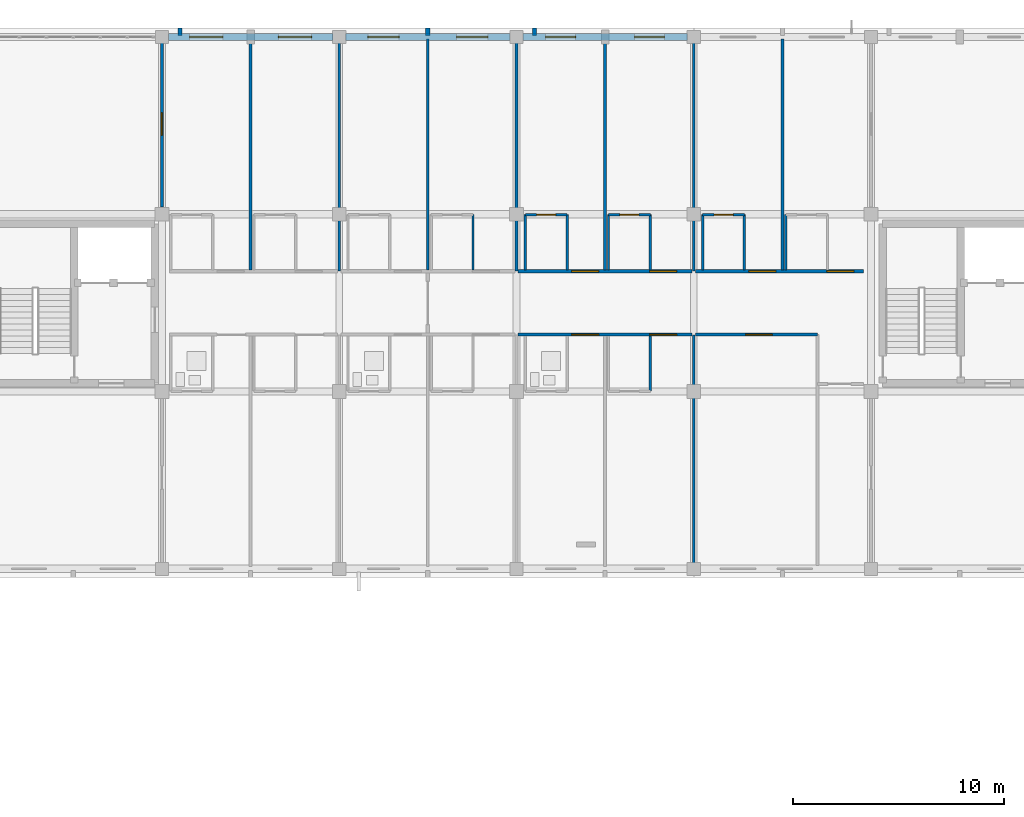
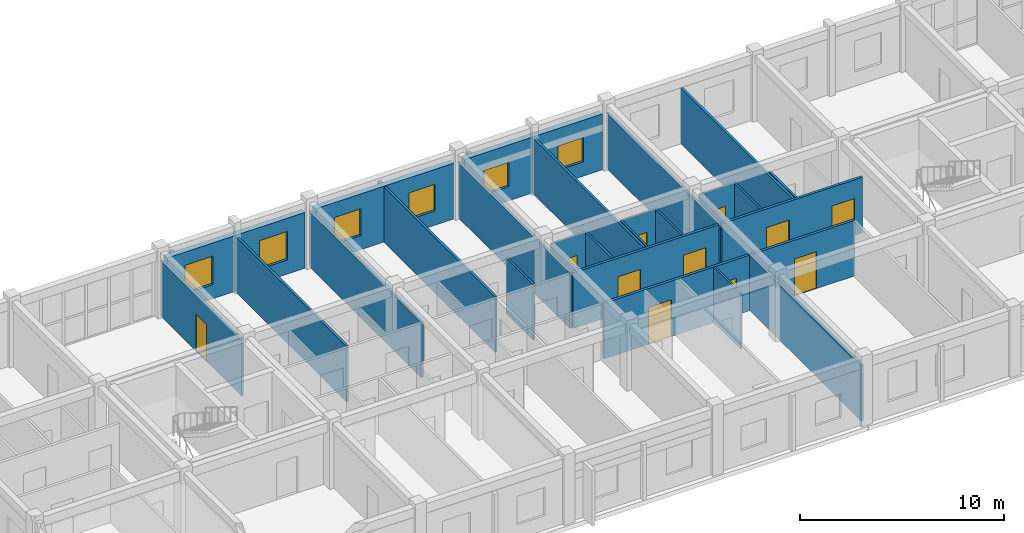
# One storey, part 68 of 81: 31 walls, 11 doors, 6 windows, 17 openings.
"""IFC4 building model written with IfcOpenShell, lengths in metres."""

from ifc_helpers import new_model, si_unit, direction, frame, frame_2d, origin, place, context, subcontext, project, spatial, rectangle, extrude, material, layer, layer_set, type_object, element, fill, save


model = new_model("IFC4")

# Units and contexts
model_context = context("Model", 3, precision=1e-05, world=origin(), true_north=direction((0.0, 1.0)))
body_context = subcontext(model_context, "Body", "Model", "MODEL_VIEW")
ifc_project = project(units=[si_unit("LENGTHUNIT", "METRE"), si_unit("AREAUNIT", "SQUARE_METRE"), si_unit("VOLUMEUNIT", "CUBIC_METRE"), si_unit("PLANEANGLEUNIT", "RADIAN"), si_unit("MASSUNIT", "GRAM", prefix="KILO")], contexts=[model_context])

# Site, building, storey
site_placement = place(None, origin())
site = spatial("IfcSite", under=ifc_project, at=site_placement, CompositionType="ELEMENT")
building_placement = place(site_placement, origin())
building = spatial("IfcBuilding", under=site, at=building_placement, Name="Trelvath General Hospital", CompositionType="ELEMENT")
storey_placement = place(building_placement, frame((0.0, 0.0, 24.60009765625)))
storey = spatial("IfcBuildingStorey", under=building, at=storey_placement, Name="L06", CompositionType="ELEMENT", Elevation=24.60009765625)

# Walls
ifc_material_1 = material(Name="Precast concrete C40/50", Category="concrete")
ifc_layer_1 = layer(ifc_material_1, 0.199951171875)
ifc_layer_set_1 = layer_set([ifc_layer_1], Name="Precast concrete C40/50")
wall_type_1 = type_object("IfcWallType", Name="BriseSoleilRib 200", PredefinedType="ELEMENTEDWALL", material=ifc_layer_set_1)
for number, where, z_axis, x_axis, name in (
    (1, (51.250244140625, 117.675048828125, 0.0), (0.0, 0.0, 1.0), (0.0, 1.0, 0.0), "Precast Concrete Brise-Soleil Rib Fin L06-422"),
    (2, (63.0, 117.675048828125, 0.0), (0.0, 0.0, 1.0), (0.0, 1.0, 0.0), "Precast Concrete Brise-Soleil Rib Fin L06-426"),
    (3, (68.05029296875, 117.675048828125, 0.0), (0.0, 0.0, 1.0), (0.0, 1.0, 0.0), "Precast Concrete Brise-Soleil Rib Fin L06-430"),
):
    element("IfcWall", number, at=place(storey_placement, frame(where, z_axis=z_axis, x_axis=x_axis)), inside=storey, type_object=wall_type_1, Name=name, PredefinedType="ELEMENTEDWALL", context=body_context, shape_type="SweptSolid", body=[
        extrude(rectangle(XDim=0.33984375, YDim=0.199951171875, at=frame_2d((0.169921875, 0.0))), origin(), (0.0, 0.0, 1.0), 3.31982421875),
    ])

# Wall, openings, doors
ifc_material_2 = material(Name="Gypsum acoustic steel-stud partition", Category="steel")
ifc_layer_2 = layer(ifc_material_2, 0.14990234375)
ifc_layer_set_2 = layer_set([ifc_layer_2], Name="Gypsum acoustic steel-stud partition")
wall_type_2 = type_object("IfcWallType", Name="ClinicalPartition 150", PredefinedType="PARTITIONING", material=ifc_layer_set_2)
wall_1_placement = place(storey_placement, frame((67.280029296875, 103.5, 0.0), z_axis=(0.0, 0.0, 1.0), x_axis=(1.0, 0.0, 0.0)))
wall_1 = element("IfcWall", 4, at=wall_1_placement, inside=storey, type_object=wall_type_2, Name="Corridor Partition L06-2208", PredefinedType="PARTITIONING", context=body_context, shape_type="SweptSolid", body=[
    extrude(rectangle(XDim=8.239990234375, YDim=0.14990234375, at=frame_2d((4.1201171875, 0.0))), origin(), (0.0, 0.0, 1.0), 3.31982421875),
])
opening_1_placement = place(wall_1_placement, frame((2.530029296875, 0.0, 0.0)))
opening_1 = element("IfcOpeningElement", 5, at=opening_1_placement, cuts=wall_1, Name="Opening D-6-1398", PredefinedType="OPENING", context=body_context, shape_type="SweptSolid", body=[
    extrude(rectangle(XDim=1.280029296875, YDim=2.199951171875, at=frame_2d((0.64013671875, 1.10009765625))), frame((0.0, 0.0849609375, 0.0), z_axis=(0.0, -1.0, 0.0), x_axis=(1.0, 0.0, 0.0)), (0.0, 0.0, 1.0), 0.169921875),
])
opening_2_placement = place(wall_1_placement, frame((6.22998046875, 0.0, 0.0)))
opening_2 = element("IfcOpeningElement", 6, at=opening_2_placement, cuts=wall_1, Name="Opening D-6-1399", PredefinedType="OPENING", context=body_context, shape_type="SweptSolid", body=[
    extrude(rectangle(XDim=1.280029296875, YDim=2.199951171875, at=frame_2d((0.64013671875, 1.10009765625))), frame((0.0, 0.0849609375, 0.0), z_axis=(0.0, -1.0, 0.0), x_axis=(1.0, 0.0, 0.0)), (0.0, 0.0, 1.0), 0.169921875),
])
ifc_material_3 = material(Name="Pediatric ward timber door", Category="wood")
door_type_1 = type_object("IfcDoorType", Name="Door PatientPeds 1280x2200", OperationType="NOTDEFINED", PredefinedType="DOOR", material=ifc_material_3)
door_1_placement = place(opening_1_placement, origin())
door_1 = element("IfcDoor", 7, at=door_1_placement, inside=storey, type_object=door_type_1, Name="Patient Room Door L06-1398", OperationType="SINGLE_SWING_RIGHT", OverallHeight=2.199951171875, OverallWidth=1.280029296875, PredefinedType="DOOR", context=body_context, shape_type="SweptSolid", body=[
    extrude(rectangle(XDim=1.280029296875, YDim=2.199951171875, at=frame_2d((0.64013671875, 1.10009765625))), frame((0.0, 0.02490234375, 0.0), z_axis=(0.0, -1.0, 0.0), x_axis=(1.0, 0.0, 0.0)), (0.0, 0.0, 1.0), 0.050048828125),
])
fill(opening_1, door_1)
door_2_placement = place(opening_2_placement, origin())
door_2 = element("IfcDoor", 8, at=door_2_placement, inside=storey, type_object=door_type_1, Name="Patient Room Door L06-1399", OperationType="SINGLE_SWING_LEFT", OverallHeight=2.199951171875, OverallWidth=1.280029296875, PredefinedType="DOOR", context=body_context, shape_type="SweptSolid", body=[
    extrude(rectangle(XDim=1.280029296875, YDim=2.199951171875, at=frame_2d((0.64013671875, 1.10009765625))), frame((0.0, 0.02490234375, 0.0), z_axis=(0.0, -1.0, 0.0), x_axis=(1.0, 0.0, 0.0)), (0.0, 0.0, 1.0), 0.050048828125),
])
fill(opening_2, door_2)

wall_2_placement = place(storey_placement, frame((75.52001953125, 106.5, 0.0), z_axis=(0.0, 0.0, 1.0), x_axis=(-1.0, 0.0, 0.0)))
wall_2 = element("IfcWall", 9, at=wall_2_placement, inside=storey, type_object=wall_type_2, Name="Corridor Partition N L06-2217", PredefinedType="PARTITIONING", context=body_context, shape_type="SweptSolid", body=[
    extrude(rectangle(XDim=8.239990234375, YDim=0.14990234375, at=frame_2d((4.1201171875, 0.0))), origin(), (0.0, 0.0, 1.0), 3.31982421875),
])
opening_3_placement = place(wall_2_placement, frame((0.72998046875, 0.0, 0.0)))
opening_3 = element("IfcOpeningElement", 10, at=opening_3_placement, cuts=wall_2, Name="Opening D-6-1402", PredefinedType="OPENING", context=body_context, shape_type="SweptSolid", body=[
    extrude(rectangle(XDim=1.280029296875, YDim=2.199951171875, at=frame_2d((0.64013671875, 1.10009765625))), frame((0.0, 0.0849609375, 0.0), z_axis=(0.0, -1.0, 0.0), x_axis=(1.0, 0.0, 0.0)), (0.0, 0.0, 1.0), 0.169921875),
])
opening_4_placement = place(wall_2_placement, frame((4.429931640625, 0.0, 0.0)))
opening_4 = element("IfcOpeningElement", 11, at=opening_4_placement, cuts=wall_2, Name="Opening D-6-1403", PredefinedType="OPENING", context=body_context, shape_type="SweptSolid", body=[
    extrude(rectangle(XDim=1.280029296875, YDim=2.199951171875, at=frame_2d((0.64013671875, 1.10009765625))), frame((0.0, 0.0849609375, 0.0), z_axis=(0.0, -1.0, 0.0), x_axis=(1.0, 0.0, 0.0)), (0.0, 0.0, 1.0), 0.169921875),
])
door_3_placement = place(opening_3_placement, origin())
door_3 = element("IfcDoor", 12, at=door_3_placement, inside=storey, type_object=door_type_1, Name="Patient Room Door N L06-1402", OperationType="SINGLE_SWING_RIGHT", OverallHeight=2.199951171875, OverallWidth=1.280029296875, PredefinedType="DOOR", context=body_context, shape_type="SweptSolid", body=[
    extrude(rectangle(XDim=1.280029296875, YDim=2.199951171875, at=frame_2d((0.64013671875, 1.10009765625))), frame((0.0, 0.02490234375, 0.0), z_axis=(0.0, -1.0, 0.0), x_axis=(1.0, 0.0, 0.0)), (0.0, 0.0, 1.0), 0.050048828125),
])
fill(opening_3, door_3)
door_4_placement = place(opening_4_placement, origin())
door_4 = element("IfcDoor", 13, at=door_4_placement, inside=storey, type_object=door_type_1, Name="Patient Room Door N L06-1403", OperationType="SINGLE_SWING_RIGHT", OverallHeight=2.199951171875, OverallWidth=1.280029296875, PredefinedType="DOOR", context=body_context, shape_type="SweptSolid", body=[
    extrude(rectangle(XDim=1.280029296875, YDim=2.199951171875, at=frame_2d((0.64013671875, 1.10009765625))), frame((0.0, 0.02490234375, 0.0), z_axis=(0.0, -1.0, 0.0), x_axis=(1.0, 0.0, 0.0)), (0.0, 0.0, 1.0), 0.050048828125),
])
fill(opening_4, door_4)

# Wall, opening, door
wall_3_placement = place(storey_placement, frame((75.679931640625, 103.5, 0.0), z_axis=(0.0, 0.0, 1.0), x_axis=(1.0, 0.0, 0.0)))
wall_3 = element("IfcWall", 14, at=wall_3_placement, inside=storey, type_object=wall_type_2, Name="Nurse Station Partition L06-2227", PredefinedType="PARTITIONING", context=body_context, shape_type="SweptSolid", body=[
    extrude(rectangle(XDim=5.780029296875, YDim=0.14990234375, at=frame_2d((2.89013671875, 0.0))), origin(), (0.0, 0.0, 1.0), 3.31982421875),
])
opening_5_placement = place(wall_3_placement, frame((2.3798828125, 0.0, 0.0)))
opening_5 = element("IfcOpeningElement", 15, at=opening_5_placement, cuts=wall_3, Name="Opening D-6-1406", PredefinedType="OPENING", context=body_context, shape_type="SweptSolid", body=[
    extrude(rectangle(XDim=1.25, YDim=2.199951171875, at=frame_2d((0.625, 1.10009765625))), frame((0.0, 0.0849609375, 0.0), z_axis=(0.0, -1.0, 0.0), x_axis=(1.0, 0.0, 0.0)), (0.0, 0.0, 1.0), 0.169921875),
])
ifc_material_4 = material(Name="Acoustic hospital timber leaf", Category="wood")
door_type_2 = type_object("IfcDoorType", Name="Door Treatment 1250x2200", OperationType="NOTDEFINED", PredefinedType="DOOR", material=ifc_material_4)
door_5_placement = place(opening_5_placement, origin())
door_5 = element("IfcDoor", 16, at=door_5_placement, inside=storey, type_object=door_type_2, Name="Nurse Station Door L06-1406", OperationType="SINGLE_SWING_LEFT", OverallHeight=2.199951171875, OverallWidth=1.25, PredefinedType="DOOR", context=body_context, shape_type="SweptSolid", body=[
    extrude(rectangle(XDim=1.25, YDim=2.199951171875, at=frame_2d((0.625, 1.10009765625))), frame((0.0, 0.02490234375, 0.0), z_axis=(0.0, -1.0, 0.0), x_axis=(1.0, 0.0, 0.0)), (0.0, 0.0, 1.0), 0.050048828125),
])
fill(opening_5, door_5)

# Wall, openings, doors
wall_4_placement = place(storey_placement, frame((83.639892578125, 106.5, 0.0), z_axis=(0.0, 0.0, 1.0), x_axis=(-1.0, 0.0, 0.0)))
wall_4 = element("IfcWall", 17, at=wall_4_placement, inside=storey, type_object=wall_type_2, Name="Corridor Partition N L06-2230", PredefinedType="PARTITIONING", context=body_context, shape_type="SweptSolid", body=[
    extrude(rectangle(XDim=7.9599609375, YDim=0.14990234375, at=frame_2d((3.97998046875, 0.0))), origin(), (0.0, 0.0, 1.0), 3.31982421875),
])
opening_6_placement = place(wall_4_placement, frame((0.449951171875, 0.0, 0.0)))
opening_6 = element("IfcOpeningElement", 18, at=opening_6_placement, cuts=wall_4, Name="Opening D-6-1408", PredefinedType="OPENING", context=body_context, shape_type="SweptSolid", body=[
    extrude(rectangle(XDim=1.280029296875, YDim=2.199951171875, at=frame_2d((0.64013671875, 1.10009765625))), frame((0.0, 0.0849609375, 0.0), z_axis=(0.0, -1.0, 0.0), x_axis=(1.0, 0.0, 0.0)), (0.0, 0.0, 1.0), 0.169921875),
])
opening_7_placement = place(wall_4_placement, frame((4.14990234375, 0.0, 0.0)))
opening_7 = element("IfcOpeningElement", 19, at=opening_7_placement, cuts=wall_4, Name="Opening D-6-1409", PredefinedType="OPENING", context=body_context, shape_type="SweptSolid", body=[
    extrude(rectangle(XDim=1.280029296875, YDim=2.199951171875, at=frame_2d((0.64013671875, 1.10009765625))), frame((0.0, 0.0849609375, 0.0), z_axis=(0.0, -1.0, 0.0), x_axis=(1.0, 0.0, 0.0)), (0.0, 0.0, 1.0), 0.169921875),
])
door_6_placement = place(opening_6_placement, origin())
door_6 = element("IfcDoor", 20, at=door_6_placement, inside=storey, type_object=door_type_1, Name="Patient Room Door N L06-1408", OperationType="SINGLE_SWING_LEFT", OverallHeight=2.199951171875, OverallWidth=1.280029296875, PredefinedType="DOOR", context=body_context, shape_type="SweptSolid", body=[
    extrude(rectangle(XDim=1.280029296875, YDim=2.199951171875, at=frame_2d((0.64013671875, 1.10009765625))), frame((0.0, 0.02490234375, 0.0), z_axis=(0.0, -1.0, 0.0), x_axis=(1.0, 0.0, 0.0)), (0.0, 0.0, 1.0), 0.050048828125),
])
fill(opening_6, door_6)
door_7_placement = place(opening_7_placement, origin())
door_7 = element("IfcDoor", 21, at=door_7_placement, inside=storey, type_object=door_type_1, Name="Patient Room Door N L06-1409", OperationType="SINGLE_SWING_LEFT", OverallHeight=2.199951171875, OverallWidth=1.280029296875, PredefinedType="DOOR", context=body_context, shape_type="SweptSolid", body=[
    extrude(rectangle(XDim=1.280029296875, YDim=2.199951171875, at=frame_2d((0.64013671875, 1.10009765625))), frame((0.0, 0.02490234375, 0.0), z_axis=(0.0, -1.0, 0.0), x_axis=(1.0, 0.0, 0.0)), (0.0, 0.0, 1.0), 0.050048828125),
])
fill(opening_7, door_7)

# Walls
ifc_material_5 = material(Name="Moisture-resistant tile partition")
ifc_layer_3 = layer(ifc_material_5, 0.110107421875)
ifc_layer_set_3 = layer_set([ifc_layer_3], Name="Moisture-resistant tile partition")
wall_type_3 = type_object("IfcWallType", Name="EnSuiteWetWall 110", PredefinedType="PARTITIONING", material=ifc_layer_set_3)
for number, where, z_axis, x_axis, name in (
    (22, (65.139892578125, 106.570068359375, 0.0), (0.0, 0.0, 1.0), (0.0, 1.0, 0.0), "En-Suite E Wall N L06-2203"),
    (23, (73.5400390625, 100.820068359375, 0.0), (0.0, 0.0, 1.0), (0.0, 1.0, 0.0), "En-Suite E Wall L06-2214"),
    (24, (67.6201171875, 106.570068359375, 0.0), (0.0, 0.0, 1.0), (0.0, 1.0, 0.0), "En-Suite W Wall N L06-2219"),
    (25, (69.60009765625, 106.570068359375, 0.0), (0.0, 0.0, 1.0), (0.0, 1.0, 0.0), "En-Suite E Wall N L06-2220"),
):
    element("IfcWall", number, at=place(storey_placement, frame(where, z_axis=z_axis, x_axis=x_axis)), inside=storey, type_object=wall_type_3, Name=name, PredefinedType="PARTITIONING", context=body_context, shape_type="SweptSolid", body=[
        extrude(rectangle(XDim=2.60986328125, YDim=0.110107421875, at=frame_2d((1.304931640625, 0.0))), origin(), (0.0, 0.0, 1.0), 3.31982421875),
    ])

# Wall, opening, door
wall_5_placement = place(storey_placement, frame((67.6201171875, 109.179931640625, 0.0), z_axis=(0.0, 0.0, 1.0), x_axis=(1.0, 0.0, 0.0)))
wall_5 = element("IfcWall", 26, at=wall_5_placement, inside=storey, type_object=wall_type_3, Name="En-Suite Bathroom N Partition L06-2221", PredefinedType="PARTITIONING", context=body_context, shape_type="SweptSolid", body=[
    extrude(rectangle(XDim=1.97998046875, YDim=0.110107421875, at=frame_2d((0.989990234375, 0.0))), origin(), (0.0, 0.0, 1.0), 3.31982421875),
])
opening_8_placement = place(wall_5_placement, frame((0.5400390625, 0.0, 0.0)))
opening_8 = element("IfcOpeningElement", 27, at=opening_8_placement, cuts=wall_5, Name="Opening D-6-1404", PredefinedType="OPENING", context=body_context, shape_type="SweptSolid", body=[
    extrude(rectangle(XDim=0.89990234375, YDim=2.10009765625, at=frame_2d((0.449951171875, 1.050048828125))), frame((0.0, 0.06494140625, 0.0), z_axis=(0.0, -1.0, 0.0), x_axis=(1.0, 0.0, 0.0)), (0.0, 0.0, 1.0), 0.130126953125),
])
ifc_material_6 = material(Name="Moisture-sealed timber leaf", Category="wood")
door_type_3 = type_object("IfcDoorType", Name="Door EnSuite 900x2100", OperationType="NOTDEFINED", PredefinedType="DOOR", material=ifc_material_6)
door_8_placement = place(opening_8_placement, origin())
door_8 = element("IfcDoor", 28, at=door_8_placement, inside=storey, type_object=door_type_3, Name="En-Suite Bathroom N Door L06-1404", OperationType="SINGLE_SWING_LEFT", OverallHeight=2.10009765625, OverallWidth=0.89990234375, PredefinedType="DOOR", context=body_context, shape_type="SweptSolid", body=[
    extrude(rectangle(XDim=0.89990234375, YDim=2.10009765625, at=frame_2d((0.449951171875, 1.050048828125))), frame((0.0, 0.02490234375, 0.0), z_axis=(0.0, -1.0, 0.0), x_axis=(1.0, 0.0, 0.0)), (0.0, 0.0, 1.0), 0.050048828125),
])
fill(opening_8, door_8)

# Walls
for number, where, z_axis, x_axis, name in (
    (29, (71.56005859375, 106.570068359375, 0.0), (0.0, 0.0, 1.0), (0.0, 1.0, 0.0), "En-Suite W Wall N L06-2222"),
    (30, (73.5400390625, 106.570068359375, 0.0), (0.0, 0.0, 1.0), (0.0, 1.0, 0.0), "En-Suite E Wall N L06-2223"),
):
    element("IfcWall", number, at=place(storey_placement, frame(where, z_axis=z_axis, x_axis=x_axis)), inside=storey, type_object=wall_type_3, Name=name, PredefinedType="PARTITIONING", context=body_context, shape_type="SweptSolid", body=[
        extrude(rectangle(XDim=2.60986328125, YDim=0.110107421875, at=frame_2d((1.304931640625, 0.0))), origin(), (0.0, 0.0, 1.0), 3.31982421875),
    ])

# Wall, opening, door
wall_6_placement = place(storey_placement, frame((71.56005859375, 109.179931640625, 0.0), z_axis=(0.0, 0.0, 1.0), x_axis=(1.0, 0.0, 0.0)))
wall_6 = element("IfcWall", 31, at=wall_6_placement, inside=storey, type_object=wall_type_3, Name="En-Suite Bathroom N Partition L06-2224", PredefinedType="PARTITIONING", context=body_context, shape_type="SweptSolid", body=[
    extrude(rectangle(XDim=1.97998046875, YDim=0.110107421875, at=frame_2d((0.989990234375, 0.0))), origin(), (0.0, 0.0, 1.0), 3.31982421875),
])
opening_9_placement = place(wall_6_placement, frame((0.5400390625, 0.0, 0.0)))
opening_9 = element("IfcOpeningElement", 32, at=opening_9_placement, cuts=wall_6, Name="Opening D-6-1405", PredefinedType="OPENING", context=body_context, shape_type="SweptSolid", body=[
    extrude(rectangle(XDim=0.89990234375, YDim=2.10009765625, at=frame_2d((0.449951171875, 1.050048828125))), frame((0.0, 0.06494140625, 0.0), z_axis=(0.0, -1.0, 0.0), x_axis=(1.0, 0.0, 0.0)), (0.0, 0.0, 1.0), 0.130126953125),
])
door_9_placement = place(opening_9_placement, origin())
door_9 = element("IfcDoor", 33, at=door_9_placement, inside=storey, type_object=door_type_3, Name="En-Suite Bathroom N Door L06-1405", OperationType="SINGLE_SWING_RIGHT", OverallHeight=2.10009765625, OverallWidth=0.89990234375, PredefinedType="DOOR", context=body_context, shape_type="SweptSolid", body=[
    extrude(rectangle(XDim=0.89990234375, YDim=2.10009765625, at=frame_2d((0.449951171875, 1.050048828125))), frame((0.0, 0.02490234375, 0.0), z_axis=(0.0, -1.0, 0.0), x_axis=(1.0, 0.0, 0.0)), (0.0, 0.0, 1.0), 0.050048828125),
])
fill(opening_9, door_9)

# Walls
for number, where, z_axis, x_axis, name in (
    (34, (76.02001953125, 106.570068359375, 0.0), (0.0, 0.0, 1.0), (0.0, 1.0, 0.0), "En-Suite W Wall N L06-2232"),
    (35, (78.0, 106.570068359375, 0.0), (0.0, 0.0, 1.0), (0.0, 1.0, 0.0), "En-Suite E Wall N L06-2233"),
):
    element("IfcWall", number, at=place(storey_placement, frame(where, z_axis=z_axis, x_axis=x_axis)), inside=storey, type_object=wall_type_3, Name=name, PredefinedType="PARTITIONING", context=body_context, shape_type="SweptSolid", body=[
        extrude(rectangle(XDim=2.60986328125, YDim=0.110107421875, at=frame_2d((1.304931640625, 0.0))), origin(), (0.0, 0.0, 1.0), 3.31982421875),
    ])

# Wall, opening, door
wall_7_placement = place(storey_placement, frame((76.02001953125, 109.179931640625, 0.0), z_axis=(0.0, 0.0, 1.0), x_axis=(1.0, 0.0, 0.0)))
wall_7 = element("IfcWall", 36, at=wall_7_placement, inside=storey, type_object=wall_type_3, Name="En-Suite Bathroom N Partition L06-2234", PredefinedType="PARTITIONING", context=body_context, shape_type="SweptSolid", body=[
    extrude(rectangle(XDim=1.97998046875, YDim=0.110107421875, at=frame_2d((0.989990234375, 0.0))), origin(), (0.0, 0.0, 1.0), 3.31982421875),
])
opening_10_placement = place(wall_7_placement, frame((0.5400390625, 0.0, 0.0)))
opening_10 = element("IfcOpeningElement", 37, at=opening_10_placement, cuts=wall_7, Name="Opening D-6-1410", PredefinedType="OPENING", context=body_context, shape_type="SweptSolid", body=[
    extrude(rectangle(XDim=0.89990234375, YDim=2.10009765625, at=frame_2d((0.449951171875, 1.050048828125))), frame((0.0, 0.06494140625, 0.0), z_axis=(0.0, -1.0, 0.0), x_axis=(1.0, 0.0, 0.0)), (0.0, 0.0, 1.0), 0.130126953125),
])
door_10_placement = place(opening_10_placement, origin())
door_10 = element("IfcDoor", 38, at=door_10_placement, inside=storey, type_object=door_type_3, Name="En-Suite Bathroom N Door L06-1410", OperationType="SINGLE_SWING_RIGHT", OverallHeight=2.10009765625, OverallWidth=0.89990234375, PredefinedType="DOOR", context=body_context, shape_type="SweptSolid", body=[
    extrude(rectangle(XDim=0.89990234375, YDim=2.10009765625, at=frame_2d((0.449951171875, 1.050048828125))), frame((0.0, 0.02490234375, 0.0), z_axis=(0.0, -1.0, 0.0), x_axis=(1.0, 0.0, 0.0)), (0.0, 0.0, 1.0), 0.050048828125),
])
fill(opening_10, door_10)

# Wall
wall_8_placement = place(storey_placement, frame((79.9599609375, 106.570068359375, 0.0), z_axis=(0.0, 0.0, 1.0), x_axis=(0.0, 1.0, 0.0)))
element("IfcWall", 39, at=wall_8_placement, inside=storey, type_object=wall_type_3, Name="En-Suite W Wall N L06-2235", PredefinedType="PARTITIONING", context=body_context, shape_type="SweptSolid", body=[
    extrude(rectangle(XDim=2.60986328125, YDim=0.110107421875, at=frame_2d((1.304931640625, 0.0))), origin(), (0.0, 0.0, 1.0), 3.31982421875),
])

# Wall, openings, windows
ifc_material_7 = material(Name="Concrete C35/45", Category="concrete")
ifc_layer_4 = layer(ifc_material_7, 0.320068359375)
ifc_layer_set_4 = layer_set([ifc_layer_4], Name="Concrete C35/45")
wall_type_4 = type_object("IfcWallType", Name="ExtThermalWall 320", PredefinedType="SOLIDWALL", material=ifc_layer_set_4)
wall_9_placement = place(storey_placement, frame((50.705078125, 117.60009765625, 0.0), z_axis=(0.0, 0.0, 1.0), x_axis=(1.0, 0.0, 0.0)))
wall_9 = element("IfcWall", 40, at=wall_9_placement, inside=storey, type_object=wall_type_4, Name="Exterior Concrete Wall L06-565", PredefinedType="SOLIDWALL", context=body_context, shape_type="SweptSolid", body=[
    extrude(rectangle(XDim=7.7900390625, YDim=0.320068359375, at=frame_2d((3.89501953125, 0.0))), origin(), (0.0, 0.0, 1.0), 3.33984375),
])
opening_11_placement = place(wall_9_placement, frame((1.001708984375, 0.0, 0.85009765625)))
opening_11 = element("IfcOpeningElement", 41, at=opening_11_placement, cuts=wall_9, Name="Opening WN-6-945", PredefinedType="OPENING", context=body_context, shape_type="SweptSolid", body=[
    extrude(rectangle(XDim=1.580078125, YDim=1.699951171875, at=frame_2d((0.7900390625, 0.85009765625))), frame((0.0, 0.169921875, 0.0), z_axis=(0.0, -1.0, 0.0), x_axis=(1.0, 0.0, 0.0)), (0.0, 0.0, 1.0), 0.340087890625),
])
opening_12_placement = place(wall_9_placement, frame((5.208251953125, 0.0, 0.85009765625)))
opening_12 = element("IfcOpeningElement", 42, at=opening_12_placement, cuts=wall_9, Name="Opening WN-6-946", PredefinedType="OPENING", context=body_context, shape_type="SweptSolid", body=[
    extrude(rectangle(XDim=1.580078125, YDim=1.699951171875, at=frame_2d((0.7900390625, 0.85009765625))), frame((0.0, 0.169921875, 0.0), z_axis=(0.0, -1.0, 0.0), x_axis=(1.0, 0.0, 0.0)), (0.0, 0.0, 1.0), 0.340087890625),
])
ifc_material_8 = material(Name="Low-E laminated glass", Category="glass")
window_type_1 = type_object("IfcWindowType", Name="Window Recovery 1580x1700", PartitioningType="DOUBLE_PANEL_VERTICAL", PredefinedType="WINDOW", material=ifc_material_8)
window_1_placement = place(opening_11_placement, origin())
window_1 = element("IfcWindow", 43, at=window_1_placement, inside=storey, type_object=window_type_1, Name="Solar Reveal Window L06-945", OverallHeight=1.699951171875, OverallWidth=1.580078125, PartitioningType="SINGLE_PANEL", PredefinedType="WINDOW", context=body_context, shape_type="SweptSolid", body=[
    extrude(rectangle(XDim=1.580078125, YDim=1.699951171875, at=frame_2d((0.7900390625, 0.85009765625))), frame((0.0, 0.030029296875, 0.0), z_axis=(0.0, -1.0, 0.0), x_axis=(1.0, 0.0, 0.0)), (0.0, 0.0, 1.0), 0.06005859375),
])
fill(opening_11, window_1)
window_2_placement = place(opening_12_placement, origin())
window_2 = element("IfcWindow", 44, at=window_2_placement, inside=storey, type_object=window_type_1, Name="Solar Reveal Window L06-946", OverallHeight=1.699951171875, OverallWidth=1.580078125, PartitioningType="SINGLE_PANEL", PredefinedType="WINDOW", context=body_context, shape_type="SweptSolid", body=[
    extrude(rectangle(XDim=1.580078125, YDim=1.699951171875, at=frame_2d((0.7900390625, 0.85009765625))), frame((0.0, 0.030029296875, 0.0), z_axis=(0.0, -1.0, 0.0), x_axis=(1.0, 0.0, 0.0)), (0.0, 0.0, 1.0), 0.06005859375),
])
fill(opening_12, window_2)

wall_10_placement = place(storey_placement, frame((59.10498046875, 117.60009765625, 0.0), z_axis=(0.0, 0.0, 1.0), x_axis=(1.0, 0.0, 0.0)))
wall_10 = element("IfcWall", 45, at=wall_10_placement, inside=storey, type_object=wall_type_4, Name="Exterior Concrete Wall L06-569", PredefinedType="SOLIDWALL", context=body_context, shape_type="SweptSolid", body=[
    extrude(rectangle(XDim=7.7900390625, YDim=0.320068359375, at=frame_2d((3.89501953125, 0.0))), origin(), (0.0, 0.0, 1.0), 3.33984375),
])
opening_13_placement = place(wall_10_placement, frame((1.0517578125, 0.0, 0.85009765625)))
opening_13 = element("IfcOpeningElement", 46, at=opening_13_placement, cuts=wall_10, Name="Opening WN-6-953", PredefinedType="OPENING", context=body_context, shape_type="SweptSolid", body=[
    extrude(rectangle(XDim=1.47998046875, YDim=1.60009765625, at=frame_2d((0.739990234375, 0.800048828125))), frame((0.0, 0.169921875, 0.0), z_axis=(0.0, -1.0, 0.0), x_axis=(1.0, 0.0, 0.0)), (0.0, 0.0, 1.0), 0.340087890625),
])
opening_14_placement = place(wall_10_placement, frame((5.25830078125, 0.0, 0.85009765625)))
opening_14 = element("IfcOpeningElement", 47, at=opening_14_placement, cuts=wall_10, Name="Opening WN-6-954", PredefinedType="OPENING", context=body_context, shape_type="SweptSolid", body=[
    extrude(rectangle(XDim=1.47998046875, YDim=1.60009765625, at=frame_2d((0.739990234375, 0.800048828125))), frame((0.0, 0.169921875, 0.0), z_axis=(0.0, -1.0, 0.0), x_axis=(1.0, 0.0, 0.0)), (0.0, 0.0, 1.0), 0.340087890625),
])
ifc_material_9 = material(Name="Low-E laminated glass", Category="glass")
window_type_2 = type_object("IfcWindowType", Name="Window Clinic 1480x1600", PartitioningType="DOUBLE_PANEL_VERTICAL", PredefinedType="WINDOW", material=ifc_material_9)
window_3_placement = place(opening_13_placement, origin())
window_3 = element("IfcWindow", 48, at=window_3_placement, inside=storey, type_object=window_type_2, Name="Solar Reveal Window L06-953", OverallHeight=1.60009765625, OverallWidth=1.47998046875, PartitioningType="SINGLE_PANEL", PredefinedType="WINDOW", context=body_context, shape_type="SweptSolid", body=[
    extrude(rectangle(XDim=1.47998046875, YDim=1.60009765625, at=frame_2d((0.739990234375, 0.800048828125))), frame((0.0, 0.030029296875, 0.0), z_axis=(0.0, -1.0, 0.0), x_axis=(1.0, 0.0, 0.0)), (0.0, 0.0, 1.0), 0.06005859375),
])
fill(opening_13, window_3)
window_4_placement = place(opening_14_placement, origin())
window_4 = element("IfcWindow", 49, at=window_4_placement, inside=storey, type_object=window_type_2, Name="Solar Reveal Window L06-954", OverallHeight=1.60009765625, OverallWidth=1.47998046875, PartitioningType="SINGLE_PANEL", PredefinedType="WINDOW", context=body_context, shape_type="SweptSolid", body=[
    extrude(rectangle(XDim=1.47998046875, YDim=1.60009765625, at=frame_2d((0.739990234375, 0.800048828125))), frame((0.0, 0.030029296875, 0.0), z_axis=(0.0, -1.0, 0.0), x_axis=(1.0, 0.0, 0.0)), (0.0, 0.0, 1.0), 0.06005859375),
])
fill(opening_14, window_4)

wall_11_placement = place(storey_placement, frame((67.5048828125, 117.60009765625, 0.0), z_axis=(0.0, 0.0, 1.0), x_axis=(1.0, 0.0, 0.0)))
wall_11 = element("IfcWall", 50, at=wall_11_placement, inside=storey, type_object=wall_type_4, Name="Exterior Concrete Wall L06-573", PredefinedType="SOLIDWALL", context=body_context, shape_type="SweptSolid", body=[
    extrude(rectangle(XDim=7.7900390625, YDim=0.320068359375, at=frame_2d((3.89501953125, 0.0))), origin(), (0.0, 0.0, 1.0), 3.33984375),
])
opening_15_placement = place(wall_11_placement, frame((1.081787109375, 0.0, 0.85009765625)))
opening_15 = element("IfcOpeningElement", 51, at=opening_15_placement, cuts=wall_11, Name="Opening WN-6-961", PredefinedType="OPENING", context=body_context, shape_type="SweptSolid", body=[
    extrude(rectangle(XDim=1.419921875, YDim=1.449951171875, at=frame_2d((0.7099609375, 0.72509765625))), frame((0.0, 0.169921875, 0.0), z_axis=(0.0, -1.0, 0.0), x_axis=(1.0, 0.0, 0.0)), (0.0, 0.0, 1.0), 0.340087890625),
])
opening_16_placement = place(wall_11_placement, frame((5.288330078125, 0.0, 0.85009765625)))
opening_16 = element("IfcOpeningElement", 52, at=opening_16_placement, cuts=wall_11, Name="Opening WN-6-962", PredefinedType="OPENING", context=body_context, shape_type="SweptSolid", body=[
    extrude(rectangle(XDim=1.419921875, YDim=1.449951171875, at=frame_2d((0.7099609375, 0.72509765625))), frame((0.0, 0.169921875, 0.0), z_axis=(0.0, -1.0, 0.0), x_axis=(1.0, 0.0, 0.0)), (0.0, 0.0, 1.0), 0.340087890625),
])
ifc_material_10 = material(Name="Low-E laminated glass", Category="glass")
window_type_3 = type_object("IfcWindowType", Name="Window Lab 1420x1450", PartitioningType="DOUBLE_PANEL_VERTICAL", PredefinedType="WINDOW", material=ifc_material_10)
window_5_placement = place(opening_15_placement, origin())
window_5 = element("IfcWindow", 53, at=window_5_placement, inside=storey, type_object=window_type_3, Name="Solar Reveal Window L06-961", OverallHeight=1.449951171875, OverallWidth=1.419921875, PartitioningType="SINGLE_PANEL", PredefinedType="WINDOW", context=body_context, shape_type="SweptSolid", body=[
    extrude(rectangle(XDim=1.419921875, YDim=1.449951171875, at=frame_2d((0.7099609375, 0.72509765625))), frame((0.0, 0.030029296875, 0.0), z_axis=(0.0, -1.0, 0.0), x_axis=(1.0, 0.0, 0.0)), (0.0, 0.0, 1.0), 0.06005859375),
])
fill(opening_15, window_5)
window_6_placement = place(opening_16_placement, origin())
window_6 = element("IfcWindow", 54, at=window_6_placement, inside=storey, type_object=window_type_3, Name="Solar Reveal Window L06-962", OverallHeight=1.449951171875, OverallWidth=1.419921875, PartitioningType="SINGLE_PANEL", PredefinedType="WINDOW", context=body_context, shape_type="SweptSolid", body=[
    extrude(rectangle(XDim=1.419921875, YDim=1.449951171875, at=frame_2d((0.7099609375, 0.72509765625))), frame((0.0, 0.030029296875, 0.0), z_axis=(0.0, -1.0, 0.0), x_axis=(1.0, 0.0, 0.0)), (0.0, 0.0, 1.0), 0.06005859375),
])
fill(opening_16, window_6)

# Wall, opening, door
ifc_material_11 = material(Name="Gypsum acoustic steel-stud partition", Category="steel")
ifc_layer_5 = layer(ifc_material_11, 0.1298828125)
ifc_layer_set_5 = layer_set([ifc_layer_5], Name="Gypsum acoustic steel-stud partition")
wall_type_5 = type_object("IfcWallType", Name="WardPartition 130", PredefinedType="PARTITIONING", material=ifc_layer_set_5)
wall_12_placement = place(storey_placement, frame((50.39990234375, 109.550048828125, 0.0), z_axis=(0.0, 0.0, 1.0), x_axis=(0.0, 1.0, 0.0)))
wall_12 = element("IfcWall", 55, at=wall_12_placement, inside=storey, type_object=wall_type_5, Name="Inter-Bay Ward Partition N L06-2170", PredefinedType="PARTITIONING", context=body_context, shape_type="SweptSolid", body=[
    extrude(rectangle(XDim=7.909912109375, YDim=0.1298828125, at=frame_2d((3.955078125, 0.0))), origin(), (0.0, 0.0, 1.0), 3.31982421875),
])
opening_17_placement = place(wall_12_placement, frame((3.39990234375, 0.0, 0.0)))
opening_17 = element("IfcOpeningElement", 56, at=opening_17_placement, cuts=wall_12, Name="Opening D-6-1380", PredefinedType="OPENING", context=body_context, shape_type="SweptSolid", body=[
    extrude(rectangle(XDim=1.050048828125, YDim=2.199951171875, at=frame_2d((0.52490234375, 1.10009765625))), frame((0.0, 0.074951171875, 0.0), z_axis=(0.0, -1.0, 0.0), x_axis=(1.0, 0.0, 0.0)), (0.0, 0.0, 1.0), 0.14990234375),
])
ifc_material_12 = material(Name="Acoustic hospital timber leaf", Category="wood")
door_type_4 = type_object("IfcDoorType", Name="Door Consult 1050x2200", OperationType="NOTDEFINED", PredefinedType="DOOR", material=ifc_material_12)
door_11_placement = place(opening_17_placement, origin())
door_11 = element("IfcDoor", 57, at=door_11_placement, inside=storey, type_object=door_type_4, Name="Consultation Connecting Door L06-1380", OperationType="SINGLE_SWING_LEFT", OverallHeight=2.199951171875, OverallWidth=1.050048828125, PredefinedType="DOOR", context=body_context, shape_type="SweptSolid", body=[
    extrude(rectangle(XDim=1.050048828125, YDim=2.199951171875, at=frame_2d((0.52490234375, 1.10009765625))), frame((0.0, 0.02490234375, 0.0), z_axis=(0.0, -1.0, 0.0), x_axis=(1.0, 0.0, 0.0)), (0.0, 0.0, 1.0), 0.050048828125),
])
fill(opening_17, door_11)

# Walls
wall_13_placement = place(storey_placement, frame((54.60009765625, 106.570068359375, 0.0), z_axis=(0.0, 0.0, 1.0), x_axis=(0.0, 1.0, 0.0)))
element("IfcWall", 58, at=wall_13_placement, inside=storey, type_object=wall_type_5, Name="Room Dividing Partition N L06-2180", PredefinedType="PARTITIONING", context=body_context, shape_type="SweptSolid", body=[
    extrude(rectangle(XDim=10.929931640625, YDim=0.1298828125, at=frame_2d((5.46484375, 0.0))), origin(), (0.0, 0.0, 1.0), 3.31982421875),
])
wall_14_placement = place(storey_placement, frame((58.800048828125, 106.52001953125, 0.0), z_axis=(0.0, 0.0, 1.0), x_axis=(0.0, 1.0, 0.0)))
element("IfcWall", 59, at=wall_14_placement, inside=storey, type_object=wall_type_5, Name="Inter-Bay Ward Partition N L06-2188", PredefinedType="PARTITIONING", context=body_context, shape_type="SweptSolid", body=[
    extrude(rectangle(XDim=10.93994140625, YDim=0.1298828125, at=frame_2d((5.469970703125, 0.0))), origin(), (0.0, 0.0, 1.0), 3.31982421875),
])
wall_15_placement = place(storey_placement, frame((63.0, 106.570068359375, 0.0), z_axis=(0.0, 0.0, 1.0), x_axis=(0.0, 1.0, 0.0)))
element("IfcWall", 60, at=wall_15_placement, inside=storey, type_object=wall_type_5, Name="Room Dividing Partition N L06-2198", PredefinedType="PARTITIONING", context=body_context, shape_type="SweptSolid", body=[
    extrude(rectangle(XDim=10.929931640625, YDim=0.1298828125, at=frame_2d((5.46484375, 0.0))), origin(), (0.0, 0.0, 1.0), 3.31982421875),
])
wall_16_placement = place(storey_placement, frame((67.199951171875, 106.52001953125, 0.0), z_axis=(0.0, 0.0, 1.0), x_axis=(0.0, 1.0, 0.0)))
element("IfcWall", 61, at=wall_16_placement, inside=storey, type_object=wall_type_5, Name="Inter-Bay Ward Partition N L06-2207", PredefinedType="PARTITIONING", context=body_context, shape_type="SweptSolid", body=[
    extrude(rectangle(XDim=10.93994140625, YDim=0.1298828125, at=frame_2d((5.469970703125, 0.0))), origin(), (0.0, 0.0, 1.0), 3.31982421875),
])
wall_17_placement = place(storey_placement, frame((71.39990234375, 106.570068359375, 0.0), z_axis=(0.0, 0.0, 1.0), x_axis=(0.0, 1.0, 0.0)))
element("IfcWall", 62, at=wall_17_placement, inside=storey, type_object=wall_type_5, Name="Room Dividing Partition N L06-2218", PredefinedType="PARTITIONING", context=body_context, shape_type="SweptSolid", body=[
    extrude(rectangle(XDim=10.929931640625, YDim=0.1298828125, at=frame_2d((5.46484375, 0.0))), origin(), (0.0, 0.0, 1.0), 3.31982421875),
])
for number, where, z_axis, x_axis, name in (
    (63, (75.60009765625, 92.5400390625, 0.0), (0.0, 0.0, 1.0), (0.0, 1.0, 0.0), "Inter-Bay Ward Partition S L06-2225"),
    (64, (75.60009765625, 106.52001953125, 0.0), (0.0, 0.0, 1.0), (0.0, 1.0, 0.0), "Inter-Bay Ward Partition N L06-2226"),
):
    element("IfcWall", number, at=place(storey_placement, frame(where, z_axis=z_axis, x_axis=x_axis)), inside=storey, type_object=wall_type_5, Name=name, PredefinedType="PARTITIONING", context=body_context, shape_type="SweptSolid", body=[
        extrude(rectangle(XDim=10.93994140625, YDim=0.1298828125, at=frame_2d((5.469970703125, 0.0))), origin(), (0.0, 0.0, 1.0), 3.31982421875),
    ])
wall_18_placement = place(storey_placement, frame((79.800048828125, 106.570068359375, 0.0), z_axis=(0.0, 0.0, 1.0), x_axis=(0.0, 1.0, 0.0)))
element("IfcWall", 65, at=wall_18_placement, inside=storey, type_object=wall_type_5, Name="Room Dividing Partition N L06-2231", PredefinedType="PARTITIONING", context=body_context, shape_type="SweptSolid", body=[
    extrude(rectangle(XDim=10.929931640625, YDim=0.1298828125, at=frame_2d((5.46484375, 0.0))), origin(), (0.0, 0.0, 1.0), 3.31982421875),
])

save(model, "model.ifc")
